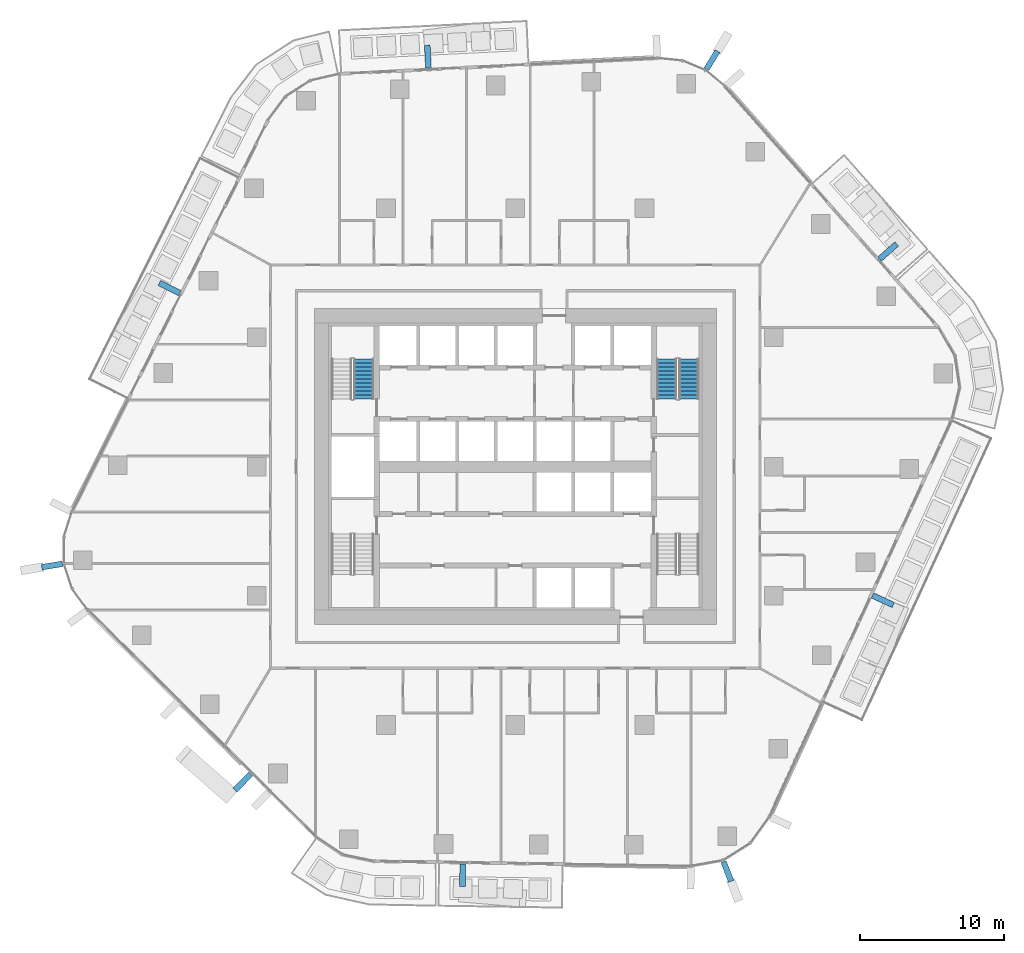
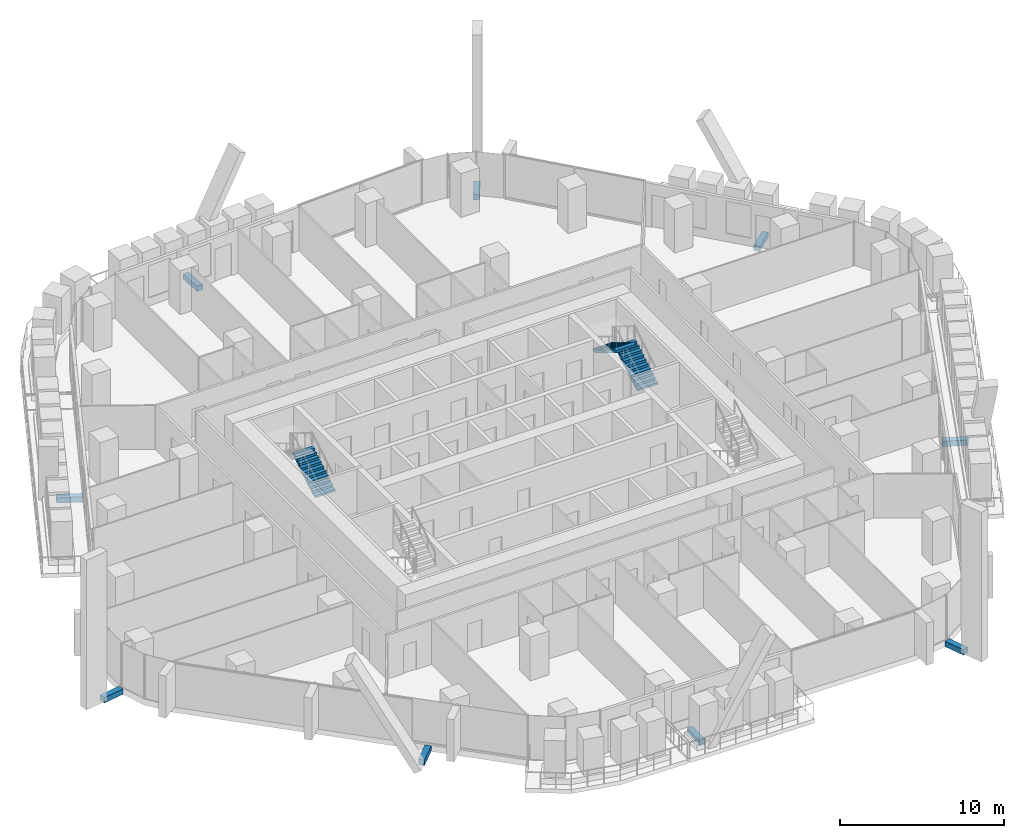
# One storey, part 19 of 26: 9 discrete accessories, 3 stair flights, 2 elements without a shape of their own.
"""IFC4 building model written with IfcOpenShell, lengths in metres."""

from ifc_helpers import new_model, si_unit, direction, frame, origin, origin_2d, place, context, subcontext, project, spatial, polyline, rectangle, outline, extrude, material, layer, layer_set, type_object, element, aggregate, save


model = new_model("IFC4")

# Units and contexts
model_context = context("Model", 3, precision=1e-05, world=origin(), true_north=direction((0.0, 1.0)))
body_context = subcontext(model_context, "Body", "Model", "MODEL_VIEW")
ifc_project = project(units=[si_unit("LENGTHUNIT", "METRE"), si_unit("AREAUNIT", "SQUARE_METRE"), si_unit("VOLUMEUNIT", "CUBIC_METRE"), si_unit("PLANEANGLEUNIT", "RADIAN"), si_unit("MASSUNIT", "GRAM", prefix="KILO")], contexts=[model_context])

# Site, building, storey
site_placement = place(None, origin())
site = spatial("IfcSite", under=ifc_project, at=site_placement, CompositionType="ELEMENT")
building_placement = place(site_placement, origin())
building = spatial("IfcBuilding", under=site, at=building_placement, Name="Dongbaek Canopy Tower", CompositionType="ELEMENT")
storey_placement = place(building_placement, frame((0.0, 0.0, 95.199951171875)))
storey = spatial("IfcBuildingStorey", under=building, at=storey_placement, Name="L19", CompositionType="ELEMENT", Elevation=95.199951171875)

# Stair, stair flights
ifc_material_1 = material(Name="Concrete C40/50", Category="concrete")
stair_type = type_object("IfcStairType", Name="Core exit stair", PredefinedType="HALF_TURN_STAIR", material=ifc_material_1)
stair_1_placement = place(storey_placement, origin())
stair_1 = element("IfcStair", 1, at=stair_1_placement, inside=storey, type_object=stair_type, Name="L19 exit stair A", PredefinedType="HALF_TURN_STAIR")
ifc_material_2 = material(Name="Concrete C40/50", Category="concrete")
ifc_layer = layer(ifc_material_2, 0.14990234375)
ifc_layer_set = layer_set([ifc_layer], Name="Core stair flight 150 waist")
stair_flight_type = type_object("IfcStairFlightType", Name="Core stair flight 150 waist", PredefinedType="STRAIGHT", material=ifc_layer_set)
stair_flight_1_placement = place(storey_placement, frame((12.10009765625, 4.699951171875, 0.0), z_axis=(0.0, 0.0, 1.0), x_axis=(0.0, 1.0, 0.0)))
stair_flight_1 = element("IfcStairFlight", 2, at=stair_flight_1_placement, type_object=stair_flight_type, Name="ST-A flight 1", NumberOfRisers=11, NumberOfTreads=10, PredefinedType="STRAIGHT", RiserHeight=0.168181818, TreadLength=0.28, context=body_context, shape_type="SweptSolid", body=[
    extrude(outline(polyline([(0.0, 0.0), (0.0, 0.168212890625), (0.280029296875, 0.168212890625), (0.280029296875, 0.33642578125), (0.56005859375, 0.33642578125), (0.56005859375, 0.504638671875), (0.840087890625, 0.504638671875), (0.840087890625, 0.672607421875), (1.1201171875, 0.672607421875), (1.1201171875, 0.8408203125), (1.39990234375, 0.8408203125), (1.39990234375, 1.009033203125), (1.679931640625, 1.009033203125), (1.679931640625, 1.17724609375), (1.9599609375, 1.17724609375), (1.9599609375, 1.345458984375), (2.239990234375, 1.345458984375), (2.239990234375, 1.513671875), (2.52001953125, 1.513671875), (2.52001953125, 1.681884765625), (2.800048828125, 1.681884765625), (2.800048828125, 1.85009765625), (2.800048828125, 1.5068359375), (0.291015625, 0.0), (0.0, 0.0)])), frame((0.0, 0.699951171875, 0.0), z_axis=(0.0, -1.0, 0.0), x_axis=(1.0, 0.0, 0.0)), (0.0, 0.0, 1.0), 1.39990234375),
])
stair_flight_2_placement = place(storey_placement, frame((10.550048828125, 7.5, 1.85009765625), z_axis=(0.0, 0.0, 1.0), x_axis=(0.0, -1.0, 0.0)))
stair_flight_2 = element("IfcStairFlight", 3, at=stair_flight_2_placement, type_object=stair_flight_type, Name="ST-A flight 2", NumberOfRisers=11, NumberOfTreads=10, PredefinedType="STRAIGHT", RiserHeight=0.168181818, TreadLength=0.28, context=body_context, shape_type="SweptSolid", body=[
    extrude(outline(polyline([(0.0, 0.0), (0.0, 0.168212890625), (0.280029296875, 0.168212890625), (0.280029296875, 0.33642578125), (0.56005859375, 0.33642578125), (0.56005859375, 0.504638671875), (0.840087890625, 0.504638671875), (0.840087890625, 0.672607421875), (1.1201171875, 0.672607421875), (1.1201171875, 0.8408203125), (1.39990234375, 0.8408203125), (1.39990234375, 1.009033203125), (1.679931640625, 1.009033203125), (1.679931640625, 1.17724609375), (1.9599609375, 1.17724609375), (1.9599609375, 1.345458984375), (2.239990234375, 1.345458984375), (2.239990234375, 1.513671875), (2.52001953125, 1.513671875), (2.52001953125, 1.681884765625), (2.800048828125, 1.681884765625), (2.800048828125, 1.85009765625), (2.800048828125, 1.5068359375), (0.291015625, 0.0), (0.0, 0.0)])), frame((0.0, 0.699951171875, 0.0), z_axis=(0.0, -1.0, 0.0), x_axis=(1.0, 0.0, 0.0)), (0.0, 0.0, 1.0), 1.39990234375),
])
aggregate(stair_1, [stair_flight_1, stair_flight_2])

# Stair, stair flight
stair_2_placement = place(storey_placement, origin())
stair_2 = element("IfcStair", 4, at=stair_2_placement, inside=storey, type_object=stair_type, Name="L19 exit stair C", PredefinedType="HALF_TURN_STAIR")
stair_flight_3_placement = place(storey_placement, frame((-10.550048828125, 4.699951171875, 0.0), z_axis=(0.0, 0.0, 1.0), x_axis=(0.0, 1.0, 0.0)))
stair_flight_3 = element("IfcStairFlight", 5, at=stair_flight_3_placement, type_object=stair_flight_type, Name="ST-C flight 1", NumberOfRisers=11, NumberOfTreads=10, PredefinedType="STRAIGHT", RiserHeight=0.168181818, TreadLength=0.28, context=body_context, shape_type="SweptSolid", body=[
    extrude(outline(polyline([(0.0, 0.0), (0.0, 0.168212890625), (0.280029296875, 0.168212890625), (0.280029296875, 0.33642578125), (0.56005859375, 0.33642578125), (0.56005859375, 0.504638671875), (0.840087890625, 0.504638671875), (0.840087890625, 0.672607421875), (1.1201171875, 0.672607421875), (1.1201171875, 0.8408203125), (1.39990234375, 0.8408203125), (1.39990234375, 1.009033203125), (1.679931640625, 1.009033203125), (1.679931640625, 1.17724609375), (1.9599609375, 1.17724609375), (1.9599609375, 1.345458984375), (2.239990234375, 1.345458984375), (2.239990234375, 1.513671875), (2.52001953125, 1.513671875), (2.52001953125, 1.681884765625), (2.800048828125, 1.681884765625), (2.800048828125, 1.85009765625), (2.800048828125, 1.5068359375), (0.291015625, 0.0), (0.0, 0.0)])), frame((0.0, 0.699951171875, 0.0), z_axis=(0.0, -1.0, 0.0), x_axis=(1.0, 0.0, 0.0)), (0.0, 0.0, 1.0), 1.39990234375),
])
aggregate(stair_2, [stair_flight_3])

# Discrete accessories
ifc_material_3 = material(Name="Galvanised steel S355 bracket", Category="steel")
discrete_accessory_type = type_object("IfcDiscreteAccessoryType", Name="Crease fin bracket BR3 400", PredefinedType="BRACKET", material=ifc_material_3)
discrete_accessory_1_placement = place(storey_placement, frame((25.977783203125, 14.98291015625, -0.4248046875), z_axis=(0.0, 0.0, 1.0), x_axis=(0.748748672505, 0.66285400008, 0.0)))
element("IfcDiscreteAccessory", 6, at=discrete_accessory_1_placement, inside=storey, type_object=discrete_accessory_type, Name="Crease fin bracket L19 F0", PredefinedType="BRACKET", context=body_context, shape_type="SweptSolid", body=[
    extrude(rectangle(XDim=1.592529296875, YDim=0.39990234375, at=origin_2d()), origin(), (0.0, 0.0, 1.0), 0.39990234375),
])
discrete_accessory_2_placement = place(storey_placement, frame((-6.089599609375, 28.554443359375, -0.4248046875), z_axis=(0.0, 0.0, 1.0), x_axis=(-0.049538340132, 0.99877222271, 0.0)))
element("IfcDiscreteAccessory", 7, at=discrete_accessory_2_placement, inside=storey, type_object=discrete_accessory_type, Name="Crease fin bracket L19 F1", PredefinedType="BRACKET", context=body_context, shape_type="SweptSolid", body=[
    extrude(rectangle(XDim=1.5888671875, YDim=0.39990234375, at=origin_2d()), origin(), (0.0, 0.0, 1.0), 0.39990234375),
])
discrete_accessory_3_placement = place(storey_placement, frame((-24.075927734375, 12.438232421875, -0.4248046875), z_axis=(0.0, 0.0, 1.0), x_axis=(-0.894055747853, 0.447955711797, 0.0)))
element("IfcDiscreteAccessory", 8, at=discrete_accessory_3_placement, inside=storey, type_object=discrete_accessory_type, Name="Crease fin bracket L19 F2", PredefinedType="BRACKET", context=body_context, shape_type="SweptSolid", body=[
    extrude(rectangle(XDim=1.591064453125, YDim=0.39990234375, at=origin_2d()), origin(), (0.0, 0.0, 1.0), 0.39990234375),
])
discrete_accessory_4_placement = place(storey_placement, frame((-18.9775390625, -21.9765625, -0.4248046875), z_axis=(0.0, 0.0, 1.0), x_axis=(-0.70510466009, -0.709103249407, 0.0)))
element("IfcDiscreteAccessory", 9, at=discrete_accessory_4_placement, inside=storey, type_object=discrete_accessory_type, Name="Crease fin bracket L19 F3", PredefinedType="BRACKET", context=body_context, shape_type="SweptSolid", body=[
    extrude(rectangle(XDim=1.573974609375, YDim=0.39990234375, at=origin_2d()), origin(), (0.0, 0.0, 1.0), 0.39990234375),
])
discrete_accessory_5_placement = place(storey_placement, frame((-3.670654296875, -28.464599609375, -0.4248046875), z_axis=(0.0, 0.0, 1.0), x_axis=(-0.015412392378, -0.999881222026, 0.0)))
element("IfcDiscreteAccessory", 10, at=discrete_accessory_5_placement, inside=storey, type_object=discrete_accessory_type, Name="Crease fin bracket L19 F4", PredefinedType="BRACKET", context=body_context, shape_type="SweptSolid", body=[
    extrude(rectangle(XDim=1.577392578125, YDim=0.39990234375, at=origin_2d()), origin(), (0.0, 0.0, 1.0), 0.39990234375),
])
discrete_accessory_6_placement = place(storey_placement, frame((25.604736328125, -9.307373046875, -0.4248046875), z_axis=(0.0, 0.0, 1.0), x_axis=(0.908848466109, -0.417126438446, 0.0)))
element("IfcDiscreteAccessory", 11, at=discrete_accessory_6_placement, inside=storey, type_object=discrete_accessory_type, Name="Crease fin bracket L19 F5", PredefinedType="BRACKET", context=body_context, shape_type="SweptSolid", body=[
    extrude(rectangle(XDim=1.59765625, YDim=0.39990234375, at=origin_2d()), origin(), (0.0, 0.0, 1.0), 0.39990234375),
])
for number, where, z_axis, x_axis, name in (
    (12, (13.700439453125, 28.309326171875, -0.4248046875), (0.0, 0.0, 1.0), (0.520635660338, 0.853778958036, 0.0), "Corner fin bracket L19 K1"),
    (13, (-32.2626953125, -6.89013671875, -0.4248046875), (0.0, 0.0, 1.0), (-0.986926979319, -0.161168041161, 0.0), "Corner fin bracket L19 K3"),
    (14, (14.769287109375, -28.201416015625, -0.4248046875), (0.0, 0.0, 1.0), (0.361518798975, -0.932364820222, 0.0), "Corner fin bracket L19 K5"),
):
    element("IfcDiscreteAccessory", number, at=place(storey_placement, frame(where, z_axis=z_axis, x_axis=x_axis)), inside=storey, type_object=discrete_accessory_type, Name=name, PredefinedType="BRACKET", context=body_context, shape_type="SweptSolid", body=[
        extrude(rectangle(XDim=1.469970703125, YDim=0.39990234375, at=origin_2d()), origin(), (0.0, 0.0, 1.0), 0.39990234375),
    ])

save(model, "model.ifc")
